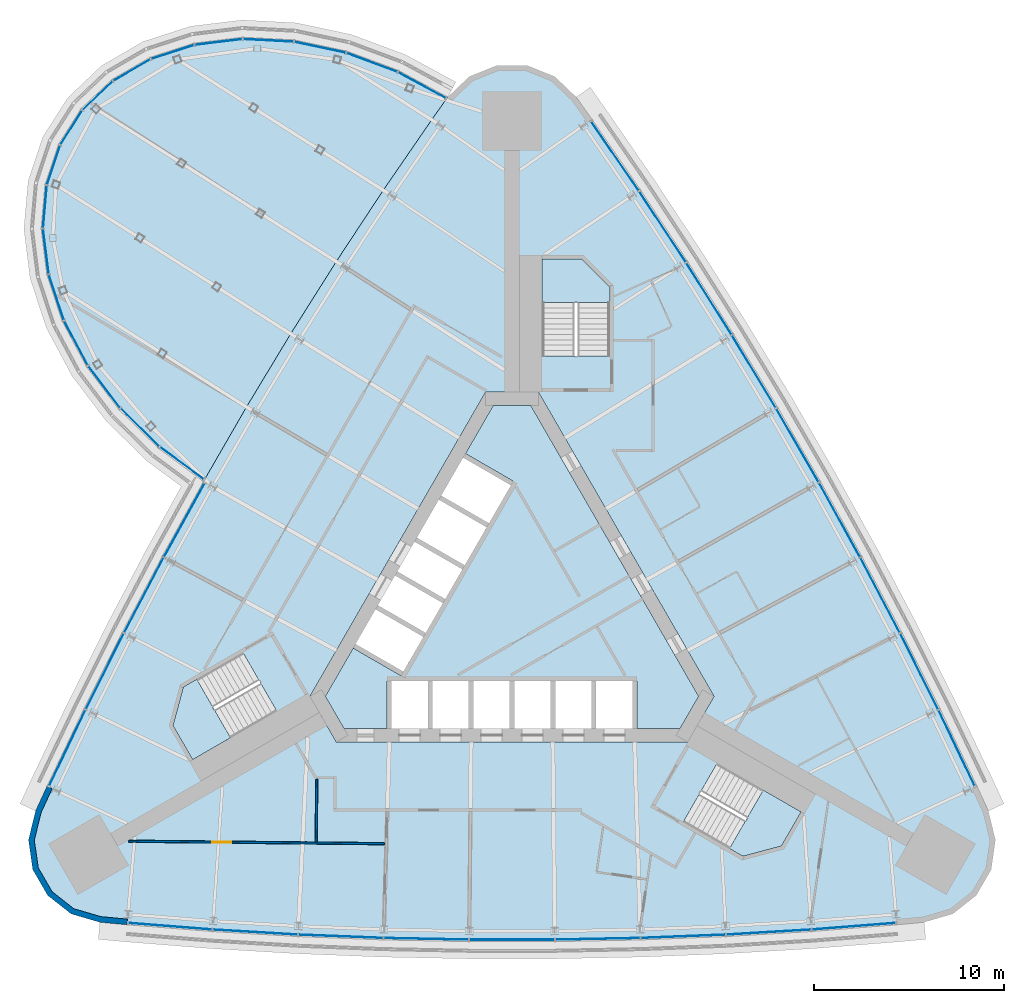
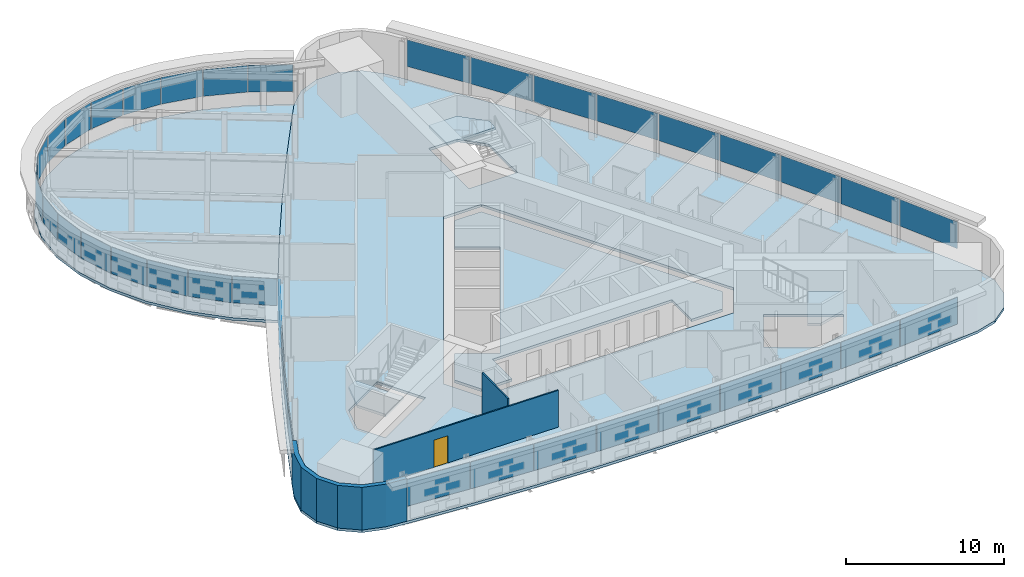
# One storey, part 10 of 17: 39 plates, 6 slabs, 3 walls, 1 door, 1 opening, 7 elements without a shape of their own.
"""IFC4 building model written with IfcOpenShell, lengths in metres."""

import ifcopenshell
import ifcopenshell.guid

model = None  # the IFC model being written
_history = None  # IfcOwnerHistory: only IFC2X3 demands one
_inside = {}  # id of a spatial element -> (the spatial element, [elements in it])
_under = {}  # id of a project, library or spatial element -> (it, [spatial elements below it])
_declared = {}  # id of a project -> (the project, [libraries it declares])
_typed = {}  # id of a type object -> (the type object, [elements of that type])
_made_of = {}  # id of a material, layer set ... -> (it, [elements and type objects made of it])


def new_model(schema):
    """Start an empty IFC model of exactly this schema.

    Asked for "IFC4X3", IfcOpenShell would pick the latest addendum, in which some entities
    have other attributes; the version numbers below select the first issue.
    IFC2X3 requires an IfcOwnerHistory on every rooted entity: one is made here for all.
    """
    global model, _history
    if schema == "IFC4X3":
        model = ifcopenshell.file(schema_version=(4, 3, 0, 0))
    else:
        model = ifcopenshell.file(schema=schema)
    _inside.clear()
    _under.clear()
    _declared.clear()
    _typed.clear()
    _made_of.clear()
    _history = None
    if model.schema == "IFC2X3":
        org = make("IfcOrganization", Name="unknown")
        user = make(
            "IfcPersonAndOrganization",
            ThePerson=make("IfcPerson", FamilyName="unknown"),
            TheOrganization=org,
        )
        app = make(
            "IfcApplication",
            ApplicationDeveloper=org,
            Version="unknown",
            ApplicationFullName="unknown",
            ApplicationIdentifier="unknown",
        )
        _history = make(
            "IfcOwnerHistory",
            OwningUser=user,
            OwningApplication=app,
            ChangeAction="ADDED",
            CreationDate=0,
        )
    return model


def make(cls, **values):
    """One entity of the class cls with the attributes given. An attribute that is None is left unset."""
    return model.create_entity(
        cls, **{name: value for name, value in values.items() if value is not None}
    )


def rooted(cls, **values):
    """An entity with a GlobalId (a new one), such as an element, a storey or a relation."""
    return make(cls, GlobalId=ifcopenshell.guid.new(), OwnerHistory=_history, **values)


def si_unit(unit_type, name, prefix=None):
    """IfcSIUnit, for example si_unit("LENGTHUNIT", "METRE", prefix="MILLI")."""
    return make("IfcSIUnit", UnitType=unit_type, Prefix=prefix, Name=name)


def assignment(units):
    """IfcUnitAssignment: the units of a project."""
    return None if units is None else make("IfcUnitAssignment", Units=units)


def point(xyz):
    """IfcCartesianPoint."""
    return None if xyz is None else make("IfcCartesianPoint", Coordinates=xyz)


def direction(xyz):
    """IfcDirection."""
    return None if xyz is None else make("IfcDirection", DirectionRatios=xyz)


def frame(location, z_axis=None, x_axis=None):
    """IfcAxis2Placement3D, a coordinate frame: its origin and axes. An axis left out is left unset."""
    return make(
        "IfcAxis2Placement3D",
        Location=point(location),
        Axis=direction(z_axis),
        RefDirection=direction(x_axis),
    )


def frame_2d(location, x_axis=None):
    """IfcAxis2Placement2D, a coordinate frame in the plane: its origin and x axis."""
    return make(
        "IfcAxis2Placement2D", Location=point(location), RefDirection=direction(x_axis)
    )


def origin():
    """The frame at (0, 0, 0) with its axes left unset."""
    return frame((0.0, 0.0, 0.0))


def origin_2d():
    """The frame at (0, 0) in the plane with its x axis left unset."""
    return frame_2d((0.0, 0.0))


def place(relative_to, where):
    """IfcLocalPlacement: puts the frame where relative to a parent placement (None: the world)."""
    return make(
        "IfcLocalPlacement", PlacementRelTo=relative_to, RelativePlacement=where
    )


def context(
    kind, dimensions, precision=None, world=None, true_north=None, identifier=None
):
    """IfcGeometricRepresentationContext, for example the 3D "Model" context."""
    return make(
        "IfcGeometricRepresentationContext",
        ContextIdentifier=identifier,
        ContextType=kind,
        CoordinateSpaceDimension=dimensions,
        Precision=precision,
        WorldCoordinateSystem=world,
        TrueNorth=true_north,
    )


def subcontext(parent, identifier, kind, view, scale=None):
    """IfcGeometricRepresentationSubContext, for example "Body" below "Model"."""
    return make(
        "IfcGeometricRepresentationSubContext",
        ContextIdentifier=identifier,
        ContextType=kind,
        ParentContext=parent,
        TargetScale=scale,
        TargetView=view,
    )


def project(units=None, contexts=None):
    """IfcProject with its units and contexts."""
    return rooted(
        "IfcProject",
        Name="project",
        RepresentationContexts=contexts,
        UnitsInContext=assignment(units),
    )


def spatial(cls, under=None, at=None, **own):
    """A site, building, storey or space (cls), placed at a placement, below another one or the project."""
    s = rooted(cls, ObjectPlacement=at, **own)
    if under is not None:
        _under.setdefault(under.id(), (under, []))[1].append(s)
    return s


def polyline(points):
    """IfcPolyline through the points."""
    return make("IfcPolyline", Points=[point(p) for p in points])


def profile(cls, at=None, kind="AREA", **sizes):
    """A parametric profile (cls). Its sizes go by their IFC names, for example OverallWidth=200.0."""
    return make(cls, ProfileType=kind, Position=at, **sizes)


def rectangle(**sizes):
    """IfcRectangleProfileDef."""
    return profile("IfcRectangleProfileDef", **sizes)


def outline(outer, holes=None, kind="AREA"):
    """IfcArbitraryClosedProfileDef: a profile drawn as a closed curve; with holes, ...WithVoids."""
    if holes is None:
        return make("IfcArbitraryClosedProfileDef", ProfileType=kind, OuterCurve=outer)
    return make(
        "IfcArbitraryProfileDefWithVoids",
        ProfileType=kind,
        OuterCurve=outer,
        InnerCurves=holes,
    )


def extrude(swept, where, along, depth):
    """IfcExtrudedAreaSolid: the profile swept, set in the frame where, extruded along a direction by depth."""
    return make(
        "IfcExtrudedAreaSolid",
        SweptArea=swept,
        Position=where,
        ExtrudedDirection=direction(along),
        Depth=depth,
    )


def shape(context_of_items, identifier, shape_type, items):
    """IfcShapeRepresentation: the items that make up one representation, for example the "Body"."""
    return make(
        "IfcShapeRepresentation",
        ContextOfItems=context_of_items,
        RepresentationIdentifier=identifier,
        RepresentationType=shape_type,
        Items=items,
    )


def material(Name=None, Category=None):
    """IfcMaterial."""
    return make("IfcMaterial", Name=Name, Category=Category)


def layer(
    of_material, thickness, ventilated=None, Name=None, Category=None, Priority=None
):
    """IfcMaterialLayer: one layer of a wall or slab, of a material (None: an air gap)."""
    return make(
        "IfcMaterialLayer",
        Material=of_material,
        LayerThickness=thickness,
        IsVentilated=ventilated,
        Name=Name,
        Category=Category,
        Priority=Priority,
    )


def layer_set(layers, Name=None):
    """IfcMaterialLayerSet."""
    return make("IfcMaterialLayerSet", MaterialLayers=layers, LayerSetName=Name)


def made_of(thing, what):
    """Note that an element or type object is made of a material, layer set ...; save() writes the relation."""
    if what is not None:
        _made_of.setdefault(what.id(), (what, []))[1].append(thing)
    return thing


def type_object(cls, material=None, **own):
    """A type object (cls), such as IfcWallType, which elements share."""
    return made_of(rooted(cls, **own), material)


def element(
    cls,
    number,
    at=None,
    inside=None,
    cuts=None,
    type_object=None,
    material=None,
    context=None,
    identifier="Body",
    shape_type=None,
    held_by="IfcProductDefinitionShape",
    body=None,
    shapes=None,
    **own,
):
    """One element of the class cls, such as IfcWall. Its Tag is "e" and its number.

    at: its placement. inside: the storey or other place that contains it. cuts: it is an
    opening in that element (IfcRelVoidsElement). A single representation is given by context,
    identifier, shape_type and body (its items); several are given by shapes. held_by: the class
    of the entity that holds the representations. save() writes the other relations.
    """
    e = rooted(cls, Tag="e%d" % number, ObjectPlacement=at, **own)
    if body is not None:
        shapes = [shape(context, identifier, shape_type, body)]
    if shapes is not None:
        e.Representation = make(held_by, Representations=shapes)
    if inside is not None:
        _inside.setdefault(inside.id(), (inside, []))[1].append(e)
    if cuts is not None:
        rooted(
            "IfcRelVoidsElement", RelatingBuildingElement=cuts, RelatedOpeningElement=e
        )
    if type_object is not None:
        _typed.setdefault(type_object.id(), (type_object, []))[1].append(e)
    return made_of(e, material)


def fill(opening, filler):
    """IfcRelFillsElement: the door or window that sits in an opening."""
    return rooted(
        "IfcRelFillsElement",
        RelatingOpeningElement=opening,
        RelatedBuildingElement=filler,
    )


def aggregate(whole, parts):
    """IfcRelAggregates: a whole, such as a stair, and the parts it consists of."""
    return rooted("IfcRelAggregates", RelatingObject=whole, RelatedObjects=parts)


def save(model, path):
    """Write the relations noted so far, then the file.

    IfcRelAggregates (storeys below a building ...), IfcRelContainedInSpatialStructure (elements
    in a storey), IfcRelDefinesByType, IfcRelAssociatesMaterial and IfcRelDeclares: one each for
    every whole, place, type object, material and project.
    """
    for whole, parts in _under.values():
        aggregate(whole, parts)
    for where, things in _inside.values():
        rooted(
            "IfcRelContainedInSpatialStructure",
            RelatedElements=things,
            RelatingStructure=where,
        )
    for kind, things in _typed.values():
        rooted("IfcRelDefinesByType", RelatedObjects=things, RelatingType=kind)
    for what, things in _made_of.values():
        rooted("IfcRelAssociatesMaterial", RelatedObjects=things, RelatingMaterial=what)
    for by, libraries in _declared.values():
        rooted("IfcRelDeclares", RelatingContext=by, RelatedDefinitions=libraries)
    model.write(path)


model = new_model("IFC4")

# Units and contexts
model_context = context("Model", 3, precision=1e-05, world=origin(), true_north=direction((0.0, 1.0)))
body_context = subcontext(model_context, "Body", "Model", "MODEL_VIEW")
ifc_project = project(units=[si_unit("LENGTHUNIT", "METRE"), si_unit("AREAUNIT", "SQUARE_METRE"), si_unit("VOLUMEUNIT", "CUBIC_METRE"), si_unit("PLANEANGLEUNIT", "RADIAN"), si_unit("MASSUNIT", "GRAM", prefix="KILO")], contexts=[model_context])

# Site, building, storey
site_placement = place(None, origin())
site = spatial("IfcSite", under=ifc_project, at=site_placement, CompositionType="ELEMENT")
building_placement = place(site_placement, origin())
building = spatial("IfcBuilding", under=site, at=building_placement, Name="Noor Cloister Tower", CompositionType="ELEMENT")
storey_placement = place(building_placement, frame((0.0, 0.0, 102.300048828125)))
storey = spatial("IfcBuildingStorey", under=building, at=storey_placement, Name="L26", CompositionType="ELEMENT", Elevation=102.300048828125)

# Slabs
ifc_material_1 = material(Name="Concrete C40/50", Category="concrete")
ifc_layer_1 = layer(ifc_material_1, 0.199951171875)
ifc_layer_set_1 = layer_set([ifc_layer_1], Name="Core floor slab 200 C40/50")
slab_type_1 = type_object("IfcSlabType", Name="Core floor slab 200 C40/50", PredefinedType="FLOOR", material=ifc_layer_set_1)
slab_1_placement = place(storey_placement, frame((0.0, 0.0, -0.199951171875)))
element("IfcSlab", 1, at=slab_1_placement, inside=storey, type_object=slab_type_1, Name="Core floor L26", PredefinedType="FLOOR", context=body_context, shape_type="SweptSolid", body=[
    extrude(outline(polyline([(-6.574951171875, -6.228271484375), (-6.574951171875, -3.728271484375), (6.574951171875, -3.728271484375), (6.574951171875, -6.228271484375), (8.82470703125, -6.228271484375), (9.80615234375, -4.5283203125), (0.9814453125, 10.75634765625), (-0.9814453125, 10.75634765625), (-2.44384765625, 8.2236328125), (0.067626953125, 6.773681640625), (-5.832275390625, -3.4453125), (-8.34375, -1.995361328125), (-9.80615234375, -4.5283203125), (-8.82470703125, -6.228271484375), (-6.574951171875, -6.228271484375)])), origin(), (0.0, 0.0, 1.0), 0.199951171875),
])
ifc_material_2 = material(Name="Concrete C40/50", Category="concrete")
ifc_layer_2 = layer(ifc_material_2, 0.199951171875)
ifc_layer_set_2 = layer_set([ifc_layer_2], Name="Floor slab 200 C40/50")
slab_type_2 = type_object("IfcSlabType", Name="Floor slab 200 C40/50", PredefinedType="FLOOR", material=ifc_layer_set_2)
slab_2_placement = place(storey_placement, frame((0.0, 0.0, -0.199951171875)))
element("IfcSlab", 2, at=slab_2_placement, inside=storey, type_object=slab_type_2, Name="Floor slab L26", PredefinedType="FLOOR", context=body_context, shape_type="SweptSolid", body=[
    extrude(outline(polyline([(3.37548828125, 26.95263671875), (2.240478515625, 28.035400390625), (0.784423828125, 28.61865234375), (-0.784423828125, 28.61865234375), (-2.240478515625, 28.035400390625), (-3.37548828125, 26.95263671875), (-4.204833984375, 25.77978515625), (-6.754150390625, 22.07177734375), (-9.230224609375, 18.314208984375), (-11.6318359375, 14.5087890625), (-13.9580078125, 10.65673828125), (-16.2080078125, 6.759765625), (-18.380859375, 2.819091796875), (-20.475830078125, -1.16357421875), (-22.49169921875, -5.1865234375), (-24.42822265625, -9.24853515625), (-25.029541015625, -10.552978515625), (-25.399658203125, -12.077392578125), (-25.1767578125, -13.630126953125), (-24.392333984375, -14.988525390625), (-23.1591796875, -15.958251953125), (-21.65380859375, -16.399658203125), (-20.2236328125, -16.53125), (-15.737548828125, -16.88525390625), (-11.245361328125, -17.150634765625), (-6.7490234375, -17.327880859375), (-2.25, -17.41650390625), (2.25, -17.41650390625), (6.7490234375, -17.327880859375), (11.245361328125, -17.150634765625), (15.737548828125, -16.88525390625), (20.2236328125, -16.53125), (21.65380859375, -16.399658203125), (23.1591796875, -15.958251953125), (24.392333984375, -14.988525390625), (25.1767578125, -13.630126953125), (25.399658203125, -12.077392578125), (25.029541015625, -10.552978515625), (24.42822265625, -9.24853515625), (22.49169921875, -5.1865234375), (20.475830078125, -1.16357421875), (18.380859375, 2.819091796875), (16.2080078125, 6.759765625), (13.9580078125, 10.65673828125), (11.6318359375, 14.5087890625), (9.230224609375, 18.314208984375), (6.754150390625, 22.07177734375), (4.204833984375, 25.77978515625), (3.37548828125, 26.95263671875)]), holes=[polyline([(8.999755859375, -11.126220703125), (12.131591796875, -12.934326171875), (14.1572265625, -12.3916015625), (15.19091796875, -10.601318359375), (10.774658203125, -8.0517578125), (8.999755859375, -11.126220703125)]), polyline([(-17.81005859375, -6.064697265625), (-16.776611328125, -7.85498046875), (-12.3603515625, -5.305419921875), (-14.13525390625, -2.23095703125), (-16.662841796875, -3.690185546875), (-17.267333984375, -4.039306640625), (-17.81005859375, -6.064697265625)]), polyline([(-10.6142578125, -4.5283203125), (-9.228759765625, -6.92822265625), (9.228759765625, -6.92822265625), (10.6142578125, -4.5283203125), (1.3857421875, 11.456298828125), (-1.3857421875, 11.456298828125), (-10.6142578125, -4.5283203125)]), polyline([(3.65283203125, 18.456298828125), (1.585693359375, 18.456298828125), (1.585693359375, 13.35693359375), (5.135498046875, 13.35693359375), (5.135498046875, 16.9736328125), (3.65283203125, 18.456298828125)])]), origin(), (0.0, 0.0, 1.0), 0.199951171875),
])

# Curtain wall, plates
ifc_material_3 = material(Name="Aluminium 6063-T6 anodised", Category="aluminium")
curtain_wall_type_1 = type_object("IfcCurtainWallType", Name="Ribbon curtain wall, lower tower CW1", PredefinedType="NOTDEFINED", material=ifc_material_3)
curtain_wall_1_placement = place(storey_placement, origin())
curtain_wall_1 = element("IfcCurtainWall", 3, at=curtain_wall_1_placement, inside=storey, type_object=curtain_wall_type_1, Name="CW1 L26 NW run 2", PredefinedType="NOTDEFINED")
ifc_material_4 = material(Name="Clear laminated glass 2 x 8 mm", Category="glass")
ifc_layer_3 = layer(ifc_material_4, 0.028076171875)
ifc_layer_set_3 = layer_set([ifc_layer_3], Name="Glass panel CW1")
plate_type_1 = type_object("IfcPlateType", Name="Glass panel CW1", PredefinedType="CURTAIN_PANEL", material=ifc_layer_set_3)
plate_1_placement = place(storey_placement, frame((-17.21630859375, 4.72412109375, 1.08984375), z_axis=(0.0, 0.0, 1.0), x_axis=(-0.482858038737, -0.875698643614, 0.0)))
plate_1 = element("IfcPlate", 4, at=plate_1_placement, type_object=plate_type_1, Name="CW1 glass panel 1", PredefinedType="CURTAIN_PANEL", context=body_context, shape_type="SweptSolid", body=[
    extrude(rectangle(XDim=4.39892578125, YDim=0.028076171875, at=origin_2d()), origin(), (0.0, 0.0, 1.0), 2.070068359375),
])
plate_2_placement = place(storey_placement, frame((-19.33984375, 0.78125, 1.08984375), z_axis=(0.0, 0.0, 1.0), x_axis=(-0.465528993936, -0.885032629797, 0.0)))
plate_2 = element("IfcPlate", 5, at=plate_2_placement, type_object=plate_type_1, Name="CW1 glass panel 2", PredefinedType="CURTAIN_PANEL", context=body_context, shape_type="SweptSolid", body=[
    extrude(rectangle(XDim=4.43798828125, YDim=0.028076171875, at=origin_2d()), origin(), (0.0, 0.0, 1.0), 2.070068359375),
])
plate_3_placement = place(storey_placement, frame((-21.394287109375, -3.2197265625, 1.08984375), z_axis=(0.0, 0.0, 1.0), x_axis=(-0.448019609919, -0.894023729622, 0.0)))
plate_3 = element("IfcPlate", 6, at=plate_3_placement, type_object=plate_type_1, Name="CW1 glass panel 3", PredefinedType="CURTAIN_PANEL", context=body_context, shape_type="SweptSolid", body=[
    extrude(rectangle(XDim=4.43798828125, YDim=0.028076171875, at=origin_2d()), origin(), (0.0, 0.0, 1.0), 2.070068359375),
])
plate_4_placement = place(storey_placement, frame((-23.361328125, -7.242919921875, 1.08984375), z_axis=(0.0, 0.0, 1.0), x_axis=(-0.430336639105, -0.902668475712, 0.0)))
plate_4 = element("IfcPlate", 7, at=plate_4_placement, type_object=plate_type_1, Name="CW1 glass panel 4", PredefinedType="CURTAIN_PANEL", context=body_context, shape_type="SweptSolid", body=[
    extrude(rectangle(XDim=4.39892578125, YDim=0.028076171875, at=origin_2d()), origin(), (0.0, 0.0, 1.0), 2.070068359375),
])
aggregate(curtain_wall_1, [plate_1, plate_2, plate_3, plate_4])

curtain_wall_2_placement = place(storey_placement, origin())
curtain_wall_2 = element("IfcCurtainWall", 8, at=curtain_wall_2_placement, inside=storey, type_object=curtain_wall_type_1, Name="CW1 L26 S run 3", PredefinedType="NOTDEFINED")
plate_5_placement = place(storey_placement, frame((-17.953125, -16.610107421875, 1.08984375), z_axis=(0.0, 0.0, 1.0), x_axis=(0.996902150714, -0.078651776212, 0.0)))
plate_5 = element("IfcPlate", 9, at=plate_5_placement, type_object=plate_type_1, Name="CW1 glass panel 1", PredefinedType="CURTAIN_PANEL", context=body_context, shape_type="SweptSolid", body=[
    extrude(rectangle(XDim=4.39892578125, YDim=0.028076171875, at=origin_2d()), origin(), (0.0, 0.0, 1.0), 2.070068359375),
])
plate_6_placement = place(storey_placement, frame((-13.485595703125, -16.918212890625, 1.08984375), z_axis=(0.0, 0.0, 1.0), x_axis=(0.998257066399, -0.059015501228, 0.0)))
plate_6 = element("IfcPlate", 10, at=plate_6_placement, type_object=plate_type_1, Name="CW1 glass panel 2", PredefinedType="CURTAIN_PANEL", context=body_context, shape_type="SweptSolid", body=[
    extrude(rectangle(XDim=4.43798828125, YDim=0.028076171875, at=origin_2d()), origin(), (0.0, 0.0, 1.0), 2.070068359375),
])
plate_7_placement = place(storey_placement, frame((-8.993408203125, -17.139404296875, 1.08984375), z_axis=(0.0, 0.0, 1.0), x_axis=(0.99922523755, -0.039356379951, 0.0)))
plate_7 = element("IfcPlate", 11, at=plate_7_placement, type_object=plate_type_1, Name="CW1 glass panel 3", PredefinedType="CURTAIN_PANEL", context=body_context, shape_type="SweptSolid", body=[
    extrude(rectangle(XDim=4.43798828125, YDim=0.028076171875, at=origin_2d()), origin(), (0.0, 0.0, 1.0), 2.070068359375),
])
plate_8_placement = place(storey_placement, frame((-4.49755859375, -17.272216796875, 1.08984375), z_axis=(0.0, 0.0, 1.0), x_axis=(0.999806290798, -0.019681993839, 0.0)))
plate_8 = element("IfcPlate", 12, at=plate_8_placement, type_object=plate_type_1, Name="CW1 glass panel 4", PredefinedType="CURTAIN_PANEL", context=body_context, shape_type="SweptSolid", body=[
    extrude(rectangle(XDim=4.43798828125, YDim=0.028076171875, at=origin_2d()), origin(), (0.0, 0.0, 1.0), 2.070068359375),
])
plate_9_placement = place(storey_placement, frame((0.0, -17.31640625, 1.08984375), z_axis=(0.0, 0.0, 1.0), x_axis=(1.0, 0.0, 0.0)))
plate_9 = element("IfcPlate", 13, at=plate_9_placement, type_object=plate_type_1, Name="CW1 glass panel 5", PredefinedType="CURTAIN_PANEL", context=body_context, shape_type="SweptSolid", body=[
    extrude(rectangle(XDim=4.43798828125, YDim=0.028076171875, at=origin_2d()), origin(), (0.0, 0.0, 1.0), 2.070068359375),
])
plate_10_placement = place(storey_placement, frame((4.49755859375, -17.272216796875, 1.08984375), z_axis=(0.0, 0.0, 1.0), x_axis=(0.999806290798, 0.019681993839, 0.0)))
plate_10 = element("IfcPlate", 14, at=plate_10_placement, type_object=plate_type_1, Name="CW1 glass panel 6", PredefinedType="CURTAIN_PANEL", context=body_context, shape_type="SweptSolid", body=[
    extrude(rectangle(XDim=4.43798828125, YDim=0.028076171875, at=origin_2d()), origin(), (0.0, 0.0, 1.0), 2.070068359375),
])
plate_11_placement = place(storey_placement, frame((8.993408203125, -17.139404296875, 1.08984375), z_axis=(0.0, 0.0, 1.0), x_axis=(0.99922523755, 0.039356379951, 0.0)))
plate_11 = element("IfcPlate", 15, at=plate_11_placement, type_object=plate_type_1, Name="CW1 glass panel 7", PredefinedType="CURTAIN_PANEL", context=body_context, shape_type="SweptSolid", body=[
    extrude(rectangle(XDim=4.43798828125, YDim=0.028076171875, at=origin_2d()), origin(), (0.0, 0.0, 1.0), 2.070068359375),
])
plate_12_placement = place(storey_placement, frame((13.485595703125, -16.918212890625, 1.08984375), z_axis=(0.0, 0.0, 1.0), x_axis=(0.998257066399, 0.059015501228, 0.0)))
plate_12 = element("IfcPlate", 16, at=plate_12_placement, type_object=plate_type_1, Name="CW1 glass panel 8", PredefinedType="CURTAIN_PANEL", context=body_context, shape_type="SweptSolid", body=[
    extrude(rectangle(XDim=4.43798828125, YDim=0.028076171875, at=origin_2d()), origin(), (0.0, 0.0, 1.0), 2.070068359375),
])
plate_13_placement = place(storey_placement, frame((17.953125, -16.610107421875, 1.08984375), z_axis=(0.0, 0.0, 1.0), x_axis=(0.996902150714, 0.078651776212, 0.0)))
plate_13 = element("IfcPlate", 17, at=plate_13_placement, type_object=plate_type_1, Name="CW1 glass panel 9", PredefinedType="CURTAIN_PANEL", context=body_context, shape_type="SweptSolid", body=[
    extrude(rectangle(XDim=4.39892578125, YDim=0.028076171875, at=origin_2d()), origin(), (0.0, 0.0, 1.0), 2.070068359375),
])
aggregate(curtain_wall_2, [plate_5, plate_6, plate_7, plate_8, plate_9, plate_10, plate_11, plate_12, plate_13])

curtain_wall_3_placement = place(storey_placement, origin())
curtain_wall_3 = element("IfcCurtainWall", 18, at=curtain_wall_3_placement, inside=storey, type_object=curtain_wall_type_1, Name="CW1 L26 NE run 4", PredefinedType="NOTDEFINED")
plate_14_placement = place(storey_placement, frame((23.361328125, -7.242919921875, 1.08984375), z_axis=(0.0, 0.0, 1.0), x_axis=(-0.430336639105, 0.902668475712, 0.0)))
plate_14 = element("IfcPlate", 19, at=plate_14_placement, type_object=plate_type_1, Name="CW1 glass panel 1", PredefinedType="CURTAIN_PANEL", context=body_context, shape_type="SweptSolid", body=[
    extrude(rectangle(XDim=4.39892578125, YDim=0.028076171875, at=origin_2d()), origin(), (0.0, 0.0, 1.0), 2.070068359375),
])
plate_15_placement = place(storey_placement, frame((21.394287109375, -3.2197265625, 1.08984375), z_axis=(0.0, 0.0, 1.0), x_axis=(-0.448019609919, 0.894023729622, 0.0)))
plate_15 = element("IfcPlate", 20, at=plate_15_placement, type_object=plate_type_1, Name="CW1 glass panel 2", PredefinedType="CURTAIN_PANEL", context=body_context, shape_type="SweptSolid", body=[
    extrude(rectangle(XDim=4.43798828125, YDim=0.028076171875, at=origin_2d()), origin(), (0.0, 0.0, 1.0), 2.070068359375),
])
plate_16_placement = place(storey_placement, frame((19.33984375, 0.78125, 1.08984375), z_axis=(0.0, 0.0, 1.0), x_axis=(-0.465528993936, 0.885032629797, 0.0)))
plate_16 = element("IfcPlate", 21, at=plate_16_placement, type_object=plate_type_1, Name="CW1 glass panel 3", PredefinedType="CURTAIN_PANEL", context=body_context, shape_type="SweptSolid", body=[
    extrude(rectangle(XDim=4.43798828125, YDim=0.028076171875, at=origin_2d()), origin(), (0.0, 0.0, 1.0), 2.070068359375),
])
plate_17_placement = place(storey_placement, frame((17.206787109375, 4.7412109375, 1.08984375), z_axis=(0.0, 0.0, 1.0), x_axis=(-0.482858038737, 0.875698643614, 0.0)))
plate_17 = element("IfcPlate", 22, at=plate_17_placement, type_object=plate_type_1, Name="CW1 glass panel 4", PredefinedType="CURTAIN_PANEL", context=body_context, shape_type="SweptSolid", body=[
    extrude(rectangle(XDim=4.43798828125, YDim=0.028076171875, at=origin_2d()), origin(), (0.0, 0.0, 1.0), 2.070068359375),
])
plate_18_placement = place(storey_placement, frame((14.996337890625, 8.658203125, 1.08984375), z_axis=(0.0, 0.0, 1.0), x_axis=(-0.5, 0.866025403784, 0.0)))
plate_18 = element("IfcPlate", 23, at=plate_18_placement, type_object=plate_type_1, Name="CW1 glass panel 5", PredefinedType="CURTAIN_PANEL", context=body_context, shape_type="SweptSolid", body=[
    extrude(rectangle(XDim=4.43798828125, YDim=0.028076171875, at=origin_2d()), origin(), (0.0, 0.0, 1.0), 2.070068359375),
])
plate_19_placement = place(storey_placement, frame((12.70947265625, 12.531005859375, 1.08984375), z_axis=(0.0, 0.0, 1.0), x_axis=(-0.516948252061, 0.856016649775, 0.0)))
plate_19 = element("IfcPlate", 24, at=plate_19_placement, type_object=plate_type_1, Name="CW1 glass panel 6", PredefinedType="CURTAIN_PANEL", context=body_context, shape_type="SweptSolid", body=[
    extrude(rectangle(XDim=4.43798828125, YDim=0.028076171875, at=origin_2d()), origin(), (0.0, 0.0, 1.0), 2.070068359375),
])
plate_20_placement = place(storey_placement, frame((10.346435546875, 16.358154296875, 1.08984375), z_axis=(0.0, 0.0, 1.0), x_axis=(-0.533696243614, 0.845676249845, 0.0)))
plate_20 = element("IfcPlate", 25, at=plate_20_placement, type_object=plate_type_1, Name="CW1 glass panel 7", PredefinedType="CURTAIN_PANEL", context=body_context, shape_type="SweptSolid", body=[
    extrude(rectangle(XDim=4.43798828125, YDim=0.028076171875, at=origin_2d()), origin(), (0.0, 0.0, 1.0), 2.070068359375),
])
plate_21_placement = place(storey_placement, frame((7.90869140625, 20.137939453125, 1.08984375), z_axis=(0.0, 0.0, 1.0), x_axis=(-0.550237456479, 0.835008228395, 0.0)))
plate_21 = element("IfcPlate", 26, at=plate_21_placement, type_object=plate_type_1, Name="CW1 glass panel 8", PredefinedType="CURTAIN_PANEL", context=body_context, shape_type="SweptSolid", body=[
    extrude(rectangle(XDim=4.43798828125, YDim=0.028076171875, at=origin_2d()), origin(), (0.0, 0.0, 1.0), 2.070068359375),
])
plate_22_placement = place(storey_placement, frame((5.408203125, 23.85302734375, 1.08984375), z_axis=(0.0, 0.0, 1.0), x_axis=(-0.566565511609, 0.8240166995, 0.0)))
plate_22 = element("IfcPlate", 27, at=plate_22_placement, type_object=plate_type_1, Name="CW1 glass panel 9", PredefinedType="CURTAIN_PANEL", context=body_context, shape_type="SweptSolid", body=[
    extrude(rectangle(XDim=4.39892578125, YDim=0.028076171875, at=origin_2d()), origin(), (0.0, 0.0, 1.0), 2.070068359375),
])
aggregate(curtain_wall_3, [plate_14, plate_15, plate_16, plate_17, plate_18, plate_19, plate_20, plate_21, plate_22])

ifc_material_5 = material(Name="Aluminium 6063-T6 anodised", Category="aluminium")
curtain_wall_type_2 = type_object("IfcCurtainWallType", Name="Sky bar curtain wall, lower bars CW2", PredefinedType="NOTDEFINED", material=ifc_material_5)
curtain_wall_4_placement = place(storey_placement, origin())
curtain_wall_4 = element("IfcCurtainWall", 28, at=curtain_wall_4_placement, inside=storey, type_object=curtain_wall_type_2, Name="CW2 L26 NW sky bar run 1", PredefinedType="NOTDEFINED")
ifc_material_6 = material(Name="Clear laminated glass 2 x 8 mm", Category="glass")
ifc_layer_4 = layer(ifc_material_6, 0.028076171875)
ifc_layer_set_4 = layer_set([ifc_layer_4], Name="Glass panel CW2")
plate_type_2 = type_object("IfcPlateType", Name="Glass panel CW2", PredefinedType="CURTAIN_PANEL", material=ifc_layer_set_4)
plate_23_placement = place(storey_placement, frame((-4.73291015625, 27.5751953125, 1.08984375), z_axis=(0.0, 0.0, 1.0), x_axis=(-0.879047686992, 0.476733850271, 0.0)))
plate_23 = element("IfcPlate", 29, at=plate_23_placement, type_object=plate_type_2, Name="CW2 glass panel 1", PredefinedType="CURTAIN_PANEL", context=body_context, shape_type="SweptSolid", body=[
    extrude(rectangle(XDim=2.83984375, YDim=0.028076171875, at=origin_2d()), origin(), (0.0, 0.0, 1.0), 2.070068359375),
])
plate_24_placement = place(storey_placement, frame((-7.361328125, 28.7705078125, 1.08984375), z_axis=(0.0, 0.0, 1.0), x_axis=(-0.937123819566, 0.348997058443, 0.0)))
plate_24 = element("IfcPlate", 30, at=plate_24_placement, type_object=plate_type_2, Name="CW2 glass panel 2", PredefinedType="CURTAIN_PANEL", context=body_context, shape_type="SweptSolid", body=[
    extrude(rectangle(XDim=2.828857421875, YDim=0.028076171875, at=origin_2d()), origin(), (0.0, 0.0, 1.0), 2.070068359375),
])
plate_25_placement = place(storey_placement, frame((-10.0869140625, 29.566650390625, 1.08984375), z_axis=(0.0, 0.0, 1.0), x_axis=(-0.978091544685, 0.208175239201, 0.0)))
plate_25 = element("IfcPlate", 31, at=plate_25_placement, type_object=plate_type_2, Name="CW2 glass panel 3", PredefinedType="CURTAIN_PANEL", context=body_context, shape_type="SweptSolid", body=[
    extrude(rectangle(XDim=2.744873046875, YDim=0.028076171875, at=origin_2d()), origin(), (0.0, 0.0, 1.0), 2.070068359375),
])
plate_26_placement = place(storey_placement, frame((-12.801513671875, 29.9287109375, 1.08984375), z_axis=(0.0, 0.0, 1.0), x_axis=(-0.998642464858, 0.052088649262, 0.0)))
plate_26 = element("IfcPlate", 32, at=plate_26_placement, type_object=plate_type_2, Name="CW2 glass panel 4", PredefinedType="CURTAIN_PANEL", context=body_context, shape_type="SweptSolid", body=[
    extrude(rectangle(XDim=2.62890625, YDim=0.028076171875, at=origin_2d()), origin(), (0.0, 0.0, 1.0), 2.070068359375),
])
plate_27_placement = place(storey_placement, frame((-15.412109375, 29.8447265625, 1.08984375), z_axis=(0.0, 0.0, 1.0), x_axis=(-0.992712056582, -0.12051046725, 0.0)))
plate_27 = element("IfcPlate", 33, at=plate_27_placement, type_object=plate_type_2, Name="CW2 glass panel 5", PredefinedType="CURTAIN_PANEL", context=body_context, shape_type="SweptSolid", body=[
    extrude(rectangle(XDim=2.493896484375, YDim=0.028076171875, at=origin_2d()), origin(), (0.0, 0.0, 1.0), 2.070068359375),
])
plate_28_placement = place(storey_placement, frame((-17.82958984375, 29.31884765625, 1.08984375), z_axis=(0.0, 0.0, 1.0), x_axis=(-0.9514061289, -0.307938919091, 0.0)))
plate_28 = element("IfcPlate", 34, at=plate_28_placement, type_object=plate_type_2, Name="CW2 glass panel 6", PredefinedType="CURTAIN_PANEL", context=body_context, shape_type="SweptSolid", body=[
    extrude(rectangle(XDim=2.356201171875, YDim=0.028076171875, at=origin_2d()), origin(), (0.0, 0.0, 1.0), 2.070068359375),
])
plate_29_placement = place(storey_placement, frame((-19.971435546875, 28.36962890625, 1.08984375), z_axis=(0.0, 0.0, 1.0), x_axis=(-0.864505116655, -0.502624017808, 0.0)))
plate_29 = element("IfcPlate", 35, at=plate_29_placement, type_object=plate_type_2, Name="CW2 glass panel 7", PredefinedType="CURTAIN_PANEL", context=body_context, shape_type="SweptSolid", body=[
    extrude(rectangle(XDim=2.235595703125, YDim=0.028076171875, at=origin_2d()), origin(), (0.0, 0.0, 1.0), 2.070068359375),
])
plate_30_placement = place(storey_placement, frame((-21.76611328125, 27.03076171875, 1.08984375), z_axis=(0.0, 0.0, 1.0), x_axis=(-0.725047879646, -0.688698462479, 0.0)))
plate_30 = element("IfcPlate", 36, at=plate_30_placement, type_object=plate_type_2, Name="CW2 glass panel 8", PredefinedType="CURTAIN_PANEL", context=body_context, shape_type="SweptSolid", body=[
    extrude(rectangle(XDim=2.152099609375, YDim=0.028076171875, at=origin_2d()), origin(), (0.0, 0.0, 1.0), 2.070068359375),
])
plate_31_placement = place(storey_placement, frame((-23.15380859375, 25.34765625, 1.08984375), z_axis=(0.0, 0.0, 1.0), x_axis=(-0.53635025801, -0.843995498052, 0.0)))
plate_31 = element("IfcPlate", 37, at=plate_31_placement, type_object=plate_type_2, Name="CW2 glass panel 9", PredefinedType="CURTAIN_PANEL", context=body_context, shape_type="SweptSolid", body=[
    extrude(rectangle(XDim=2.122314453125, YDim=0.028076171875, at=origin_2d()), origin(), (0.0, 0.0, 1.0), 2.070068359375),
])
plate_32_placement = place(storey_placement, frame((-24.08837890625, 23.37646484375, 1.08984375), z_axis=(0.0, 0.0, 1.0), x_axis=(-0.315619674124, -0.948885778851, 0.0)))
plate_32 = element("IfcPlate", 38, at=plate_32_placement, type_object=plate_type_2, Name="CW2 glass panel 10", PredefinedType="CURTAIN_PANEL", context=body_context, shape_type="SweptSolid", body=[
    extrude(rectangle(XDim=2.152099609375, YDim=0.028076171875, at=origin_2d()), origin(), (0.0, 0.0, 1.0), 2.070068359375),
])
plate_33_placement = place(storey_placement, frame((-24.53857421875, 21.18310546875, 1.08984375), z_axis=(0.0, 0.0, 1.0), x_axis=(-0.087934891536, -0.996126224356, 0.0)))
plate_33 = element("IfcPlate", 39, at=plate_33_placement, type_object=plate_type_2, Name="CW2 glass panel 11", PredefinedType="CURTAIN_PANEL", context=body_context, shape_type="SweptSolid", body=[
    extrude(rectangle(XDim=2.235595703125, YDim=0.028076171875, at=origin_2d()), origin(), (0.0, 0.0, 1.0), 2.070068359375),
])
plate_34_placement = place(storey_placement, frame((-24.488037109375, 18.8408203125, 1.08984375), z_axis=(0.0, 0.0, 1.0), x_axis=(0.125227226329, -0.992128087389, 0.0)))
plate_34 = element("IfcPlate", 40, at=plate_34_placement, type_object=plate_type_2, Name="CW2 glass panel 12", PredefinedType="CURTAIN_PANEL", context=body_context, shape_type="SweptSolid", body=[
    extrude(rectangle(XDim=2.356201171875, YDim=0.028076171875, at=origin_2d()), origin(), (0.0, 0.0, 1.0), 2.070068359375),
])
plate_35_placement = place(storey_placement, frame((-23.937744140625, 16.4287109375, 1.08984375), z_axis=(0.0, 0.0, 1.0), x_axis=(0.312457260775, -0.949931818705, 0.0)))
plate_35 = element("IfcPlate", 41, at=plate_35_placement, type_object=plate_type_2, Name="CW2 glass panel 13", PredefinedType="CURTAIN_PANEL", context=body_context, shape_type="SweptSolid", body=[
    extrude(rectangle(XDim=2.493896484375, YDim=0.028076171875, at=origin_2d()), origin(), (0.0, 0.0, 1.0), 2.070068359375),
])
plate_36_placement = place(storey_placement, frame((-22.905029296875, 14.029541015625, 1.08984375), z_axis=(0.0, 0.0, 1.0), x_axis=(0.471239018454, -0.882005548444, 0.0)))
plate_36 = element("IfcPlate", 42, at=plate_36_placement, type_object=plate_type_2, Name="CW2 glass panel 14", PredefinedType="CURTAIN_PANEL", context=body_context, shape_type="SweptSolid", body=[
    extrude(rectangle(XDim=2.62890625, YDim=0.028076171875, at=origin_2d()), origin(), (0.0, 0.0, 1.0), 2.070068359375),
])
plate_37_placement = place(storey_placement, frame((-21.424560546875, 11.725830078125, 1.08984375), z_axis=(0.0, 0.0, 1.0), x_axis=(0.603825610907, -0.797116447963, 0.0)))
plate_37 = element("IfcPlate", 43, at=plate_37_placement, type_object=plate_type_2, Name="CW2 glass panel 15", PredefinedType="CURTAIN_PANEL", context=body_context, shape_type="SweptSolid", body=[
    extrude(rectangle(XDim=2.744873046875, YDim=0.028076171875, at=origin_2d()), origin(), (0.0, 0.0, 1.0), 2.070068359375),
])
plate_38_placement = place(storey_placement, frame((-19.54638671875, 9.59619140625, 1.08984375), z_axis=(0.0, 0.0, 1.0), x_axis=(0.713922028433, -0.700225204715, 0.0)))
plate_38 = element("IfcPlate", 44, at=plate_38_placement, type_object=plate_type_2, Name="CW2 glass panel 16", PredefinedType="CURTAIN_PANEL", context=body_context, shape_type="SweptSolid", body=[
    extrude(rectangle(XDim=2.828857421875, YDim=0.028076171875, at=origin_2d()), origin(), (0.0, 0.0, 1.0), 2.070068359375),
])
plate_39_placement = place(storey_placement, frame((-17.347900390625, 7.724365234375, 1.08984375), z_axis=(0.0, 0.0, 1.0), x_axis=(0.804906671058, -0.593401424742, 0.0)))
plate_39 = element("IfcPlate", 45, at=plate_39_placement, type_object=plate_type_2, Name="CW2 glass panel 17", PredefinedType="CURTAIN_PANEL", context=body_context, shape_type="SweptSolid", body=[
    extrude(rectangle(XDim=2.83984375, YDim=0.028076171875, at=origin_2d()), origin(), (0.0, 0.0, 1.0), 2.070068359375),
])
aggregate(curtain_wall_4, [plate_23, plate_24, plate_25, plate_26, plate_27, plate_28, plate_29, plate_30, plate_31, plate_32, plate_33, plate_34, plate_35, plate_36, plate_37, plate_38, plate_39])

# Slab
ifc_material_7 = material(Name="Concrete C40/50", Category="concrete")
ifc_layer_5 = layer(ifc_material_7, 0.199951171875)
ifc_layer_set_5 = layer_set([ifc_layer_5], Name="Pod floor slab 200")
slab_type_3 = type_object("IfcSlabType", Name="Pod floor slab 200", PredefinedType="FLOOR", material=ifc_layer_set_5)
slab_3_placement = place(storey_placement, frame((0.0, 0.0, -0.199951171875)))
element("IfcSlab", 46, at=slab_3_placement, inside=storey, type_object=slab_type_3, Name="Pod floor slab L26", PredefinedType="FLOOR", context=body_context, shape_type="SweptSolid", body=[
    extrude(outline(polyline([(-3.37548828125, 26.95263671875), (-5.96630859375, 28.357666015625), (-8.68701171875, 29.370849609375), (-11.445556640625, 29.9580078125), (-14.147705078125, 30.098876953125), (-16.70166015625, 29.7890625), (-19.02001953125, 29.03857421875), (-21.0244140625, 27.873291015625), (-22.646240234375, 26.332763671875), (-23.830078125, 24.469482421875), (-24.5361328125, 22.34716796875), (-24.739990234375, 20.03759765625), (-24.434814453125, 17.619873046875), (-23.631103515625, 15.17626953125), (-22.35595703125, 12.78955078125), (-20.65283203125, 10.54150390625), (-18.580078125, 8.508544921875), (-16.2080078125, 6.759765625), (-13.9580078125, 10.65673828125), (-11.6318359375, 14.5087890625), (-9.230224609375, 18.314208984375), (-6.754150390625, 22.07177734375), (-4.204833984375, 25.77978515625), (-3.37548828125, 26.95263671875)])), origin(), (0.0, 0.0, 1.0), 0.199951171875),
])

# Stair, slab
ifc_material_8 = material(Name="Concrete C40/50", Category="concrete")
stair_type = type_object("IfcStairType", Name="Exit stair 22 risers", PredefinedType="HALF_TURN_STAIR", material=ifc_material_8)
stair_1_placement = place(storey_placement, origin())
stair_1 = element("IfcStair", 47, at=stair_1_placement, inside=storey, type_object=stair_type, Name="Exit stair ST1 L26", PredefinedType="HALF_TURN_STAIR")
ifc_material_9 = material(Name="Concrete C40/50", Category="concrete")
ifc_layer_6 = layer(ifc_material_9, 0.199951171875)
ifc_layer_set_6 = layer_set([ifc_layer_6], Name="Stair landing 200 C40/50")
slab_type_4 = type_object("IfcSlabType", Name="Stair landing 200 C40/50", PredefinedType="LANDING", material=ifc_layer_set_6)
slab_4_placement = place(storey_placement, frame((0.0, 0.0, 1.599853515625)))
slab_4 = element("IfcSlab", 48, at=slab_4_placement, type_object=slab_type_4, Name="ST1 landing 1", PredefinedType="LANDING", context=body_context, shape_type="SweptSolid", body=[
    extrude(outline(polyline([(5.135498046875, 16.15576171875), (5.135498046875, 16.9736328125), (3.65283203125, 18.456298828125), (1.585693359375, 18.456298828125), (1.585693359375, 16.15576171875), (5.135498046875, 16.15576171875)])), origin(), (0.0, 0.0, 1.0), 0.2001953125),
])
aggregate(stair_1, [slab_4])

stair_2_placement = place(storey_placement, origin())
stair_2 = element("IfcStair", 49, at=stair_2_placement, inside=storey, type_object=stair_type, Name="Exit stair ST2 L26", PredefinedType="HALF_TURN_STAIR")
slab_5_placement = place(storey_placement, frame((0.0, 0.0, 1.599853515625)))
slab_5 = element("IfcSlab", 50, at=slab_5_placement, type_object=slab_type_4, Name="ST2 landing 1", PredefinedType="LANDING", context=body_context, shape_type="SweptSolid", body=[
    extrude(outline(polyline([(-16.55908203125, -3.63037109375), (-17.267333984375, -4.039306640625), (-17.81005859375, -6.064697265625), (-16.776611328125, -7.85498046875), (-14.7841796875, -6.70458984375), (-16.55908203125, -3.63037109375)])), origin(), (0.0, 0.0, 1.0), 0.2001953125),
])
aggregate(stair_2, [slab_5])

stair_3_placement = place(storey_placement, origin())
stair_3 = element("IfcStair", 51, at=stair_3_placement, inside=storey, type_object=stair_type, Name="Exit stair ST3 L26", PredefinedType="HALF_TURN_STAIR")
slab_6_placement = place(storey_placement, frame((0.0, 0.0, 1.599853515625)))
slab_6 = element("IfcSlab", 52, at=slab_6_placement, type_object=slab_type_4, Name="ST3 landing 1", PredefinedType="LANDING", context=body_context, shape_type="SweptSolid", body=[
    extrude(outline(polyline([(11.423583984375, -12.525390625), (12.131591796875, -12.934326171875), (14.1572265625, -12.3916015625), (15.19091796875, -10.601318359375), (13.198486328125, -9.451171875), (11.423583984375, -12.525390625)])), origin(), (0.0, 0.0, 1.0), 0.2001953125),
])
aggregate(stair_3, [slab_6])

# Wall
ifc_material_10 = material(Name="Limestone", Category="masonry")
ifc_layer_7 = layer(ifc_material_10, 0.300048828125)
ifc_layer_set_7 = layer_set([ifc_layer_7], Name="Limestone cladding 300")
wall_type_1 = type_object("IfcWallType", Name="Limestone cladding 300", PredefinedType="NOTDEFINED", material=ifc_layer_set_7)
wall_1_placement = place(storey_placement, origin())
element("IfcWall", 53, at=wall_1_placement, inside=storey, type_object=wall_type_1, Name="Limestone pier cladding L26 1.1", PredefinedType="NOTDEFINED", context=body_context, shape_type="SweptSolid", body=[
    extrude(outline(polyline([(-24.42822265625, -9.24853515625), (-25.029541015625, -10.552978515625), (-25.399658203125, -12.077392578125), (-25.1767578125, -13.630126953125), (-24.392333984375, -14.988525390625), (-23.1591796875, -15.958251953125), (-21.65380859375, -16.399658203125), (-20.2236328125, -16.53125), (-20.196044921875, -16.232421875), (-21.597412109375, -16.103515625), (-23.019287109375, -15.6865234375), (-24.161376953125, -14.78857421875), (-24.887939453125, -13.5302734375), (-25.094482421875, -12.092041015625), (-24.744873046875, -10.652099609375), (-24.15576171875, -9.3740234375), (-24.42822265625, -9.24853515625)])), origin(), (0.0, 0.0, 1.0), 3.300048828125),
])

# Wall, opening, door
ifc_material_11 = material(Name="Gypsum board partition on steel studs, 100 mm", Category="steel")
ifc_layer_8 = layer(ifc_material_11, 0.10009765625)
ifc_layer_set_8 = layer_set([ifc_layer_8], Name="Partition 100")
wall_type_2 = type_object("IfcWallType", Name="Partition 100", PredefinedType="PARTITIONING", material=ifc_layer_set_8)
wall_2_placement = place(storey_placement, frame((-20.139892578125, -12.139404296875, 0.0), z_axis=(0.0, 0.0, 1.0), x_axis=(0.999951618297, -0.009836720277, 0.0)))
wall_2 = element("IfcWall", 54, at=wall_2_placement, inside=storey, type_object=wall_type_2, Name="Partition 100 L26 023", PredefinedType="PARTITIONING", context=body_context, shape_type="SweptSolid", body=[
    extrude(rectangle(XDim=13.4521484375, YDim=0.10009765625, at=frame_2d((6.72607421875, 0.0))), origin(), (0.0, 0.0, 1.0), 2.846923828125),
])
opening_placement = place(wall_2_placement, frame((4.40087890625, 0.0, 0.0)))
opening = element("IfcOpeningElement", 55, at=opening_placement, cuts=wall_2, Name="Opening L26-012", PredefinedType="OPENING", context=body_context, shape_type="SweptSolid", body=[
    extrude(rectangle(XDim=1.0, YDim=2.10009765625, at=frame_2d((0.5, 1.050048828125))), frame((0.0, 0.06005859375, 0.0), z_axis=(0.0, -1.0, 0.0), x_axis=(1.0, 0.0, 0.0)), (0.0, 0.0, 1.0), 0.1201171875),
])
ifc_material_12 = material(Name="Timber door leaf with steel frame", Category="steel")
door_type = type_object("IfcDoorType", Name="Interior door 1000", OperationType="NOTDEFINED", PredefinedType="DOOR", material=ifc_material_12)
door_placement = place(opening_placement, origin())
door = element("IfcDoor", 56, at=door_placement, inside=storey, type_object=door_type, Name="Interior door 1000 L26-012", OperationType="SINGLE_SWING_LEFT", OverallHeight=2.10009765625, OverallWidth=1.0, PredefinedType="DOOR", context=body_context, shape_type="SweptSolid", body=[
    extrude(rectangle(XDim=1.0, YDim=2.10009765625, at=frame_2d((0.5, 1.050048828125))), frame((0.0, 0.02490234375, 0.0), z_axis=(0.0, -1.0, 0.0), x_axis=(1.0, 0.0, 0.0)), (0.0, 0.0, 1.0), 0.050048828125),
])
fill(opening, door)

# Wall
wall_3_placement = place(storey_placement, frame((-10.287841796875, -12.186279296875, 0.0), z_axis=(0.0, 0.0, 1.0), x_axis=(0.009841169114, 0.999951574523, 0.0)))
element("IfcWall", 57, at=wall_3_placement, inside=storey, type_object=wall_type_2, Name="Partition 100 L26 030", PredefinedType="PARTITIONING", context=body_context, shape_type="SweptSolid", body=[
    extrude(rectangle(XDim=3.299560546875, YDim=0.10009765625, at=frame_2d((1.64990234375, 0.0))), origin(), (0.0, 0.0, 1.0), 3.39990234375),
])

save(model, "model.ifc")
